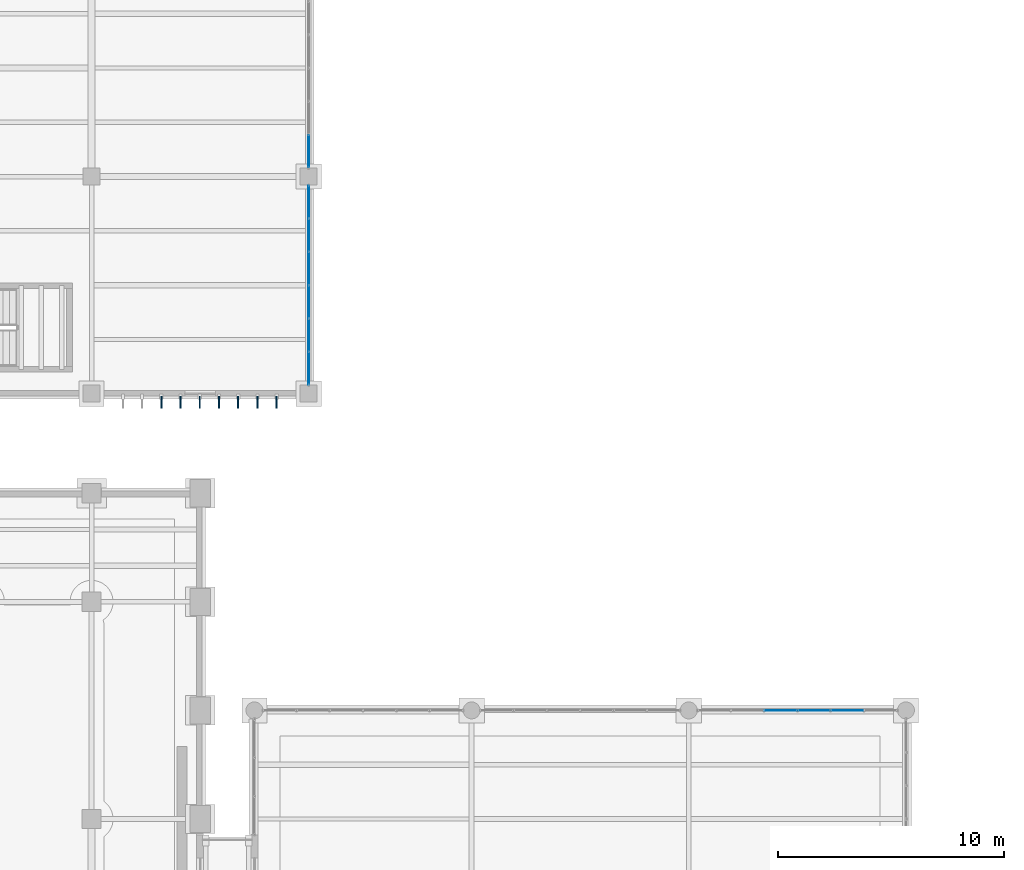
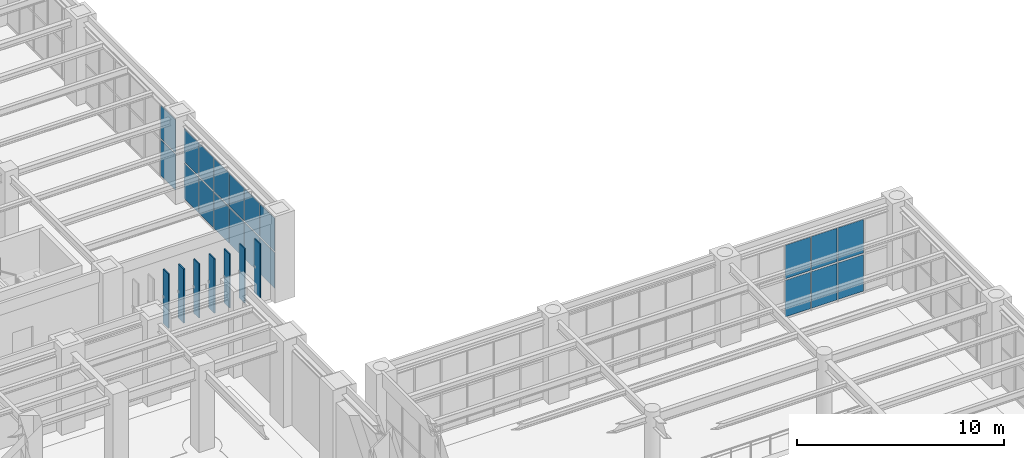
# One storey, part 131 of 174: 27 plates, 3 elements without a shape of their own.
"""IFC4 building model written with IfcOpenShell, lengths in metres."""

from ifc_helpers import new_model, si_unit, direction, frame, origin, origin_2d, place, context, subcontext, project, spatial, rectangle, extrude, material, layer, layer_set, type_object, element, aggregate, save


model = new_model("IFC4")

# Units and contexts
model_context = context("Model", 3, precision=1e-05, world=origin(), true_north=direction((0.0, 1.0)))
body_context = subcontext(model_context, "Body", "Model", "MODEL_VIEW")
ifc_project = project(units=[si_unit("LENGTHUNIT", "METRE"), si_unit("AREAUNIT", "SQUARE_METRE"), si_unit("VOLUMEUNIT", "CUBIC_METRE"), si_unit("PLANEANGLEUNIT", "RADIAN"), si_unit("MASSUNIT", "GRAM", prefix="KILO")], contexts=[model_context])

# Site, building, storey
site_placement = place(None, origin())
site = spatial("IfcSite", under=ifc_project, at=site_placement, CompositionType="ELEMENT")
building_placement = place(site_placement, origin())
building = spatial("IfcBuilding", under=site, at=building_placement, Name="Mavantir Sound Aquarium", CompositionType="ELEMENT")
storey_placement = place(building_placement, frame((0.0, 0.0, 5.39990234375)))
storey = spatial("IfcBuildingStorey", under=building, at=storey_placement, Name="L01", CompositionType="ELEMENT", Elevation=5.39990234375)

# Curtain wall, plates
ifc_material_1 = material(Name="Anodised Marine Aluminium and Low-E Glass", Category="aluminium")
curtain_wall_type_1 = type_object("IfcCurtainWallType", Name="CW-T17", PredefinedType="USERDEFINED", material=ifc_material_1)
curtain_wall_1_placement = place(storey_placement, origin())
curtain_wall_1 = element("IfcCurtainWall", 1, at=curtain_wall_1_placement, inside=storey, type_object=curtain_wall_type_1, Name="L01 unitised curtain wall CW-17 113", ObjectType="UNITISED GLAZING", PredefinedType="USERDEFINED")
ifc_material_2 = material(Name="Solar-Control Laminated Low-E Glass", Category="glass")
ifc_layer_1 = layer(ifc_material_2, 0.028076171875, Name="Solar-Control Laminated Low-E Glass")
ifc_layer_set_1 = layer_set([ifc_layer_1], Name="Solar-Control Laminated Low-E Glass")
plate_type_1 = type_object("IfcPlateType", Name="CW-PNL-28", PredefinedType="CURTAIN_PANEL", material=ifc_layer_set_1)
plate_1_placement = place(storey_placement, frame((38.39990234375, 84.71923828125, 0.10302734375), z_axis=(0.0, 0.0, 1.0), x_axis=(0.0, 1.0, 0.0)))
plate_1 = element("IfcPlate", 2, at=plate_1_placement, type_object=plate_type_1, Name="CW-L01-113 glazed curtain panel 1.1", PredefinedType="CURTAIN_PANEL", context=body_context, shape_type="SweptSolid", body=[
    extrude(rectangle(XDim=1.42431640625, YDim=0.028076171875, at=origin_2d()), origin(), (0.0, 0.0, 1.0), 2.10009765625),
])
plate_2_placement = place(storey_placement, frame((38.39990234375, 84.71923828125, 2.29931640625), z_axis=(0.0, 0.0, 1.0), x_axis=(0.0, 1.0, 0.0)))
plate_2 = element("IfcPlate", 3, at=plate_2_placement, type_object=plate_type_1, Name="CW-L01-113 glazed curtain panel 1.2", PredefinedType="CURTAIN_PANEL", context=body_context, shape_type="SweptSolid", body=[
    extrude(rectangle(XDim=1.42431640625, YDim=0.028076171875, at=origin_2d()), origin(), (0.0, 0.0, 1.0), 1.927001953125),
])
plate_3_placement = place(storey_placement, frame((38.39990234375, 86.19140625, 0.10302734375), z_axis=(0.0, 0.0, 1.0), x_axis=(0.0, 1.0, 0.0)))
plate_3 = element("IfcPlate", 4, at=plate_3_placement, type_object=plate_type_1, Name="CW-L01-113 glazed curtain panel 2.1", PredefinedType="CURTAIN_PANEL", context=body_context, shape_type="SweptSolid", body=[
    extrude(rectangle(XDim=1.42431640625, YDim=0.028076171875, at=origin_2d()), origin(), (0.0, 0.0, 1.0), 2.10009765625),
])
plate_4_placement = place(storey_placement, frame((38.39990234375, 86.19140625, 2.29931640625), z_axis=(0.0, 0.0, 1.0), x_axis=(0.0, 1.0, 0.0)))
plate_4 = element("IfcPlate", 5, at=plate_4_placement, type_object=plate_type_1, Name="CW-L01-113 glazed curtain panel 2.2", PredefinedType="CURTAIN_PANEL", context=body_context, shape_type="SweptSolid", body=[
    extrude(rectangle(XDim=1.42431640625, YDim=0.028076171875, at=origin_2d()), origin(), (0.0, 0.0, 1.0), 1.927001953125),
])
plate_5_placement = place(storey_placement, frame((38.39990234375, 87.663818359375, 0.10302734375), z_axis=(0.0, 0.0, 1.0), x_axis=(0.0, 1.0, 0.0)))
plate_5 = element("IfcPlate", 6, at=plate_5_placement, type_object=plate_type_1, Name="CW-L01-113 glazed curtain panel 3.1", PredefinedType="CURTAIN_PANEL", context=body_context, shape_type="SweptSolid", body=[
    extrude(rectangle(XDim=1.42431640625, YDim=0.028076171875, at=origin_2d()), origin(), (0.0, 0.0, 1.0), 2.10009765625),
])
plate_6_placement = place(storey_placement, frame((38.39990234375, 87.663818359375, 2.29931640625), z_axis=(0.0, 0.0, 1.0), x_axis=(0.0, 1.0, 0.0)))
plate_6 = element("IfcPlate", 7, at=plate_6_placement, type_object=plate_type_1, Name="CW-L01-113 glazed curtain panel 3.2", PredefinedType="CURTAIN_PANEL", context=body_context, shape_type="SweptSolid", body=[
    extrude(rectangle(XDim=1.42431640625, YDim=0.028076171875, at=origin_2d()), origin(), (0.0, 0.0, 1.0), 1.927001953125),
])
plate_7_placement = place(storey_placement, frame((38.39990234375, 89.13623046875, 0.10302734375), z_axis=(0.0, 0.0, 1.0), x_axis=(0.0, 1.0, 0.0)))
plate_7 = element("IfcPlate", 8, at=plate_7_placement, type_object=plate_type_1, Name="CW-L01-113 glazed curtain panel 4.1", PredefinedType="CURTAIN_PANEL", context=body_context, shape_type="SweptSolid", body=[
    extrude(rectangle(XDim=1.42431640625, YDim=0.028076171875, at=origin_2d()), origin(), (0.0, 0.0, 1.0), 2.10009765625),
])
plate_8_placement = place(storey_placement, frame((38.39990234375, 89.13623046875, 2.29931640625), z_axis=(0.0, 0.0, 1.0), x_axis=(0.0, 1.0, 0.0)))
plate_8 = element("IfcPlate", 9, at=plate_8_placement, type_object=plate_type_1, Name="CW-L01-113 glazed curtain panel 4.2", PredefinedType="CURTAIN_PANEL", context=body_context, shape_type="SweptSolid", body=[
    extrude(rectangle(XDim=1.42431640625, YDim=0.028076171875, at=origin_2d()), origin(), (0.0, 0.0, 1.0), 1.927001953125),
])
plate_9_placement = place(storey_placement, frame((38.39990234375, 90.6083984375, 0.10302734375), z_axis=(0.0, 0.0, 1.0), x_axis=(0.0, 1.0, 0.0)))
plate_9 = element("IfcPlate", 10, at=plate_9_placement, type_object=plate_type_1, Name="CW-L01-113 glazed curtain panel 5.1", PredefinedType="CURTAIN_PANEL", context=body_context, shape_type="SweptSolid", body=[
    extrude(rectangle(XDim=1.42431640625, YDim=0.028076171875, at=origin_2d()), origin(), (0.0, 0.0, 1.0), 2.10009765625),
])
plate_10_placement = place(storey_placement, frame((38.39990234375, 90.6083984375, 2.29931640625), z_axis=(0.0, 0.0, 1.0), x_axis=(0.0, 1.0, 0.0)))
plate_10 = element("IfcPlate", 11, at=plate_10_placement, type_object=plate_type_1, Name="CW-L01-113 glazed curtain panel 5.2", PredefinedType="CURTAIN_PANEL", context=body_context, shape_type="SweptSolid", body=[
    extrude(rectangle(XDim=1.42431640625, YDim=0.028076171875, at=origin_2d()), origin(), (0.0, 0.0, 1.0), 1.927001953125),
])
plate_11_placement = place(storey_placement, frame((38.39990234375, 92.080810546875, 0.10302734375), z_axis=(0.0, 0.0, 1.0), x_axis=(0.0, 1.0, 0.0)))
plate_11 = element("IfcPlate", 12, at=plate_11_placement, type_object=plate_type_1, Name="CW-L01-113 glazed curtain panel 6.1", PredefinedType="CURTAIN_PANEL", context=body_context, shape_type="SweptSolid", body=[
    extrude(rectangle(XDim=1.42431640625, YDim=0.028076171875, at=origin_2d()), origin(), (0.0, 0.0, 1.0), 2.10009765625),
])
plate_12_placement = place(storey_placement, frame((38.39990234375, 92.080810546875, 2.29931640625), z_axis=(0.0, 0.0, 1.0), x_axis=(0.0, 1.0, 0.0)))
plate_12 = element("IfcPlate", 13, at=plate_12_placement, type_object=plate_type_1, Name="CW-L01-113 glazed curtain panel 6.2", PredefinedType="CURTAIN_PANEL", context=body_context, shape_type="SweptSolid", body=[
    extrude(rectangle(XDim=1.42431640625, YDim=0.028076171875, at=origin_2d()), origin(), (0.0, 0.0, 1.0), 1.927001953125),
])
aggregate(curtain_wall_1, [plate_1, plate_2, plate_3, plate_4, plate_5, plate_6, plate_7, plate_8, plate_9, plate_10, plate_11, plate_12])

curtain_wall_type_2 = type_object("IfcCurtainWallType", Name="CW-T10", PredefinedType="USERDEFINED", material=ifc_material_1)
curtain_wall_2_placement = place(storey_placement, origin())
curtain_wall_2 = element("IfcCurtainWall", 14, at=curtain_wall_2_placement, inside=storey, type_object=curtain_wall_type_2, Name="L01 unitised curtain wall CW-10 58", ObjectType="UNITISED GLAZING", PredefinedType="USERDEFINED")
ifc_layer_2 = layer(ifc_material_2, 0.031982421875, Name="Solar-Control Laminated Low-E Glass")
ifc_layer_set_2 = layer_set([ifc_layer_2], Name="Solar-Control Laminated Low-E Glass")
plate_type_2 = type_object("IfcPlateType", Name="CW-PNL-32", PredefinedType="CURTAIN_PANEL", material=ifc_layer_set_2)
plate_13_placement = place(storey_placement, frame((62.20849609375, 69.60009765625, 0.10302734375), z_axis=(0.0, 0.0, 1.0), x_axis=(-1.0, 0.0, 0.0)))
plate_13 = element("IfcPlate", 15, at=plate_13_placement, type_object=plate_type_2, Name="CW-L01-058 glazed curtain panel 2.1", PredefinedType="CURTAIN_PANEL", context=body_context, shape_type="SweptSolid", body=[
    extrude(rectangle(XDim=1.42431640625, YDim=0.031982421875, at=origin_2d()), origin(), (0.0, 0.0, 1.0), 2.15673828125),
])
plate_14_placement = place(storey_placement, frame((62.20849609375, 69.60009765625, 2.35595703125), z_axis=(0.0, 0.0, 1.0), x_axis=(-1.0, 0.0, 0.0)))
plate_14 = element("IfcPlate", 16, at=plate_14_placement, type_object=plate_type_2, Name="CW-L01-058 glazed curtain panel 2.2", PredefinedType="CURTAIN_PANEL", context=body_context, shape_type="SweptSolid", body=[
    extrude(rectangle(XDim=1.42431640625, YDim=0.031982421875, at=origin_2d()), origin(), (0.0, 0.0, 1.0), 1.979248046875),
])
plate_15_placement = place(storey_placement, frame((60.736083984375, 69.60009765625, 0.10302734375), z_axis=(0.0, 0.0, 1.0), x_axis=(-1.0, 0.0, 0.0)))
plate_15 = element("IfcPlate", 17, at=plate_15_placement, type_object=plate_type_2, Name="CW-L01-058 glazed curtain panel 3.1", PredefinedType="CURTAIN_PANEL", context=body_context, shape_type="SweptSolid", body=[
    extrude(rectangle(XDim=1.42431640625, YDim=0.031982421875, at=origin_2d()), origin(), (0.0, 0.0, 1.0), 2.15673828125),
])
plate_16_placement = place(storey_placement, frame((60.736083984375, 69.60009765625, 2.35595703125), z_axis=(0.0, 0.0, 1.0), x_axis=(-1.0, 0.0, 0.0)))
plate_16 = element("IfcPlate", 18, at=plate_16_placement, type_object=plate_type_2, Name="CW-L01-058 glazed curtain panel 3.2", PredefinedType="CURTAIN_PANEL", context=body_context, shape_type="SweptSolid", body=[
    extrude(rectangle(XDim=1.42431640625, YDim=0.031982421875, at=origin_2d()), origin(), (0.0, 0.0, 1.0), 1.979248046875),
])
plate_17_placement = place(storey_placement, frame((59.263916015625, 69.60009765625, 0.10302734375), z_axis=(0.0, 0.0, 1.0), x_axis=(-1.0, 0.0, 0.0)))
plate_17 = element("IfcPlate", 19, at=plate_17_placement, type_object=plate_type_2, Name="CW-L01-058 glazed curtain panel 4.1", PredefinedType="CURTAIN_PANEL", context=body_context, shape_type="SweptSolid", body=[
    extrude(rectangle(XDim=1.42431640625, YDim=0.031982421875, at=origin_2d()), origin(), (0.0, 0.0, 1.0), 2.15673828125),
])
plate_18_placement = place(storey_placement, frame((59.263916015625, 69.60009765625, 2.35595703125), z_axis=(0.0, 0.0, 1.0), x_axis=(-1.0, 0.0, 0.0)))
plate_18 = element("IfcPlate", 20, at=plate_18_placement, type_object=plate_type_2, Name="CW-L01-058 glazed curtain panel 4.2", PredefinedType="CURTAIN_PANEL", context=body_context, shape_type="SweptSolid", body=[
    extrude(rectangle(XDim=1.42431640625, YDim=0.031982421875, at=origin_2d()), origin(), (0.0, 0.0, 1.0), 1.979248046875),
])
aggregate(curtain_wall_2, [plate_13, plate_14, plate_15, plate_16, plate_17, plate_18])

curtain_wall_type_3 = type_object("IfcCurtainWallType", Name="CW-T18", PredefinedType="USERDEFINED", material=ifc_material_1)
curtain_wall_3_placement = place(storey_placement, origin())
curtain_wall_3 = element("IfcCurtainWall", 21, at=curtain_wall_3_placement, inside=storey, type_object=curtain_wall_type_3, Name="L01 unitised curtain wall CW-18 114", ObjectType="UNITISED GLAZING", PredefinedType="USERDEFINED")
plate_19_placement = place(storey_placement, frame((38.39990234375, 94.319091796875, 0.10302734375), z_axis=(0.0, 0.0, 1.0), x_axis=(0.0, 1.0, 0.0)))
plate_19 = element("IfcPlate", 22, at=plate_19_placement, type_object=plate_type_2, Name="CW-L01-114 glazed curtain panel 1.1", PredefinedType="CURTAIN_PANEL", context=body_context, shape_type="SweptSolid", body=[
    extrude(rectangle(XDim=1.42431640625, YDim=0.031982421875, at=origin_2d()), origin(), (0.0, 0.0, 1.0), 2.10009765625),
])
plate_20_placement = place(storey_placement, frame((38.39990234375, 94.319091796875, 2.29931640625), z_axis=(0.0, 0.0, 1.0), x_axis=(0.0, 1.0, 0.0)))
plate_20 = element("IfcPlate", 23, at=plate_20_placement, type_object=plate_type_2, Name="CW-L01-114 glazed curtain panel 1.2", PredefinedType="CURTAIN_PANEL", context=body_context, shape_type="SweptSolid", body=[
    extrude(rectangle(XDim=1.42431640625, YDim=0.031982421875, at=origin_2d()), origin(), (0.0, 0.0, 1.0), 1.927001953125),
])
aggregate(curtain_wall_3, [plate_19, plate_20])

# Plates
ifc_material_3 = material(Name="Coral-Limestone Composite Brise-Soleil Blade", Category="masonry")
ifc_layer_3 = layer(ifc_material_3, 0.06494140625, Name="Coral-Limestone Composite Brise-Soleil Blade")
ifc_layer_set_3 = layer_set([ifc_layer_3], Name="Coral-Limestone Composite Brise-Soleil Blade")
plate_type_3 = type_object("IfcPlateType", Name="PLT-FIN-520", PredefinedType="SHEET", material=ifc_layer_set_3)
for number, where, z_axis, x_axis, name in (
    (24, (31.883056640625, 83.22509765625, 0.67138671875), (0.0, 0.0, 1.0), (-1.0, 0.0, 0.0), "Tropical coral-stone brise-soleil blade 22"),
    (25, (32.73291015625, 83.22509765625, 0.67138671875), (0.0, 0.0, 1.0), (-1.0, 0.0, 0.0), "Tropical coral-stone brise-soleil blade 23"),
    (26, (33.5830078125, 83.22509765625, 0.67138671875), (0.0, 0.0, 1.0), (-1.0, 0.0, 0.0), "Tropical coral-stone brise-soleil blade 24"),
    (27, (34.43310546875, 83.22509765625, 0.67138671875), (0.0, 0.0, 1.0), (-1.0, 0.0, 0.0), "Tropical coral-stone brise-soleil blade 25"),
    (28, (35.282958984375, 83.22509765625, 0.67138671875), (0.0, 0.0, 1.0), (-1.0, 0.0, 0.0), "Tropical coral-stone brise-soleil blade 26"),
    (29, (36.133056640625, 83.22509765625, 0.67138671875), (0.0, 0.0, 1.0), (-1.0, 0.0, 0.0), "Tropical coral-stone brise-soleil blade 27"),
    (30, (36.98291015625, 83.22509765625, 0.67138671875), (0.0, 0.0, 1.0), (-1.0, 0.0, 0.0), "Tropical coral-stone brise-soleil blade 28"),
):
    element("IfcPlate", number, at=place(storey_placement, frame(where, z_axis=z_axis, x_axis=x_axis)), inside=storey, type_object=plate_type_3, Name=name, PredefinedType="SHEET", context=body_context, shape_type="SweptSolid", body=[
        extrude(rectangle(XDim=0.06494140625, YDim=0.5400390625, at=origin_2d()), origin(), (0.0, 0.0, 1.0), 3.199951171875),
    ])

save(model, "model.ifc")
